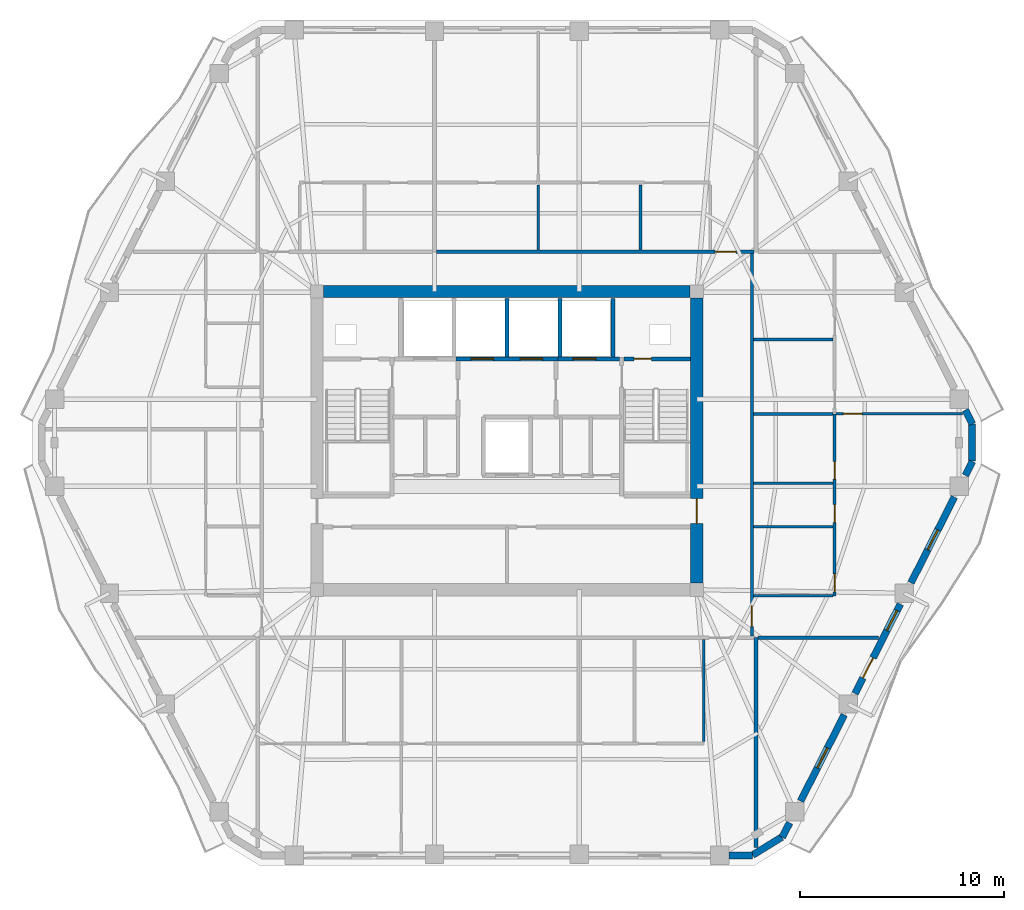
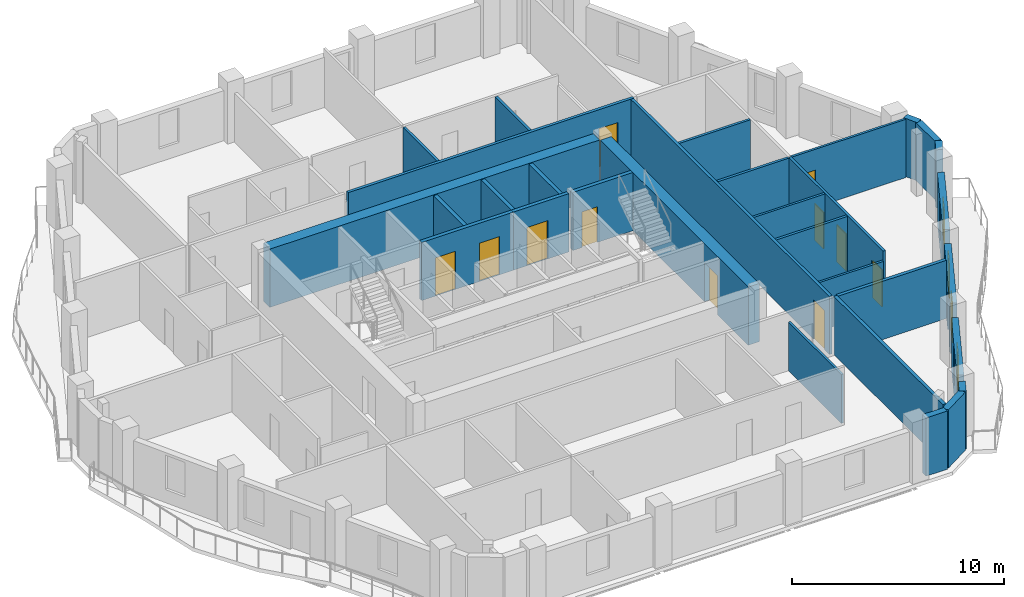
# One storey, part 6 of 12: 31 walls, 12 doors, 3 windows, 15 openings.
"""IFC4 building model written with IfcOpenShell, lengths in metres."""

from ifc_helpers import new_model, si_unit, direction, frame, frame_2d, origin, place, context, subcontext, project, spatial, rectangle, extrude, material, layer, layer_set, type_object, element, fill, save


model = new_model("IFC4")

# Units and contexts
model_context = context("Model", 3, precision=1e-05, world=origin(), true_north=direction((0.0, 1.0)))
body_context = subcontext(model_context, "Body", "Model", "MODEL_VIEW")
ifc_project = project(units=[si_unit("LENGTHUNIT", "METRE"), si_unit("AREAUNIT", "SQUARE_METRE"), si_unit("VOLUMEUNIT", "CUBIC_METRE"), si_unit("PLANEANGLEUNIT", "RADIAN"), si_unit("MASSUNIT", "GRAM", prefix="KILO")], contexts=[model_context])

# Site, building, storey
site_placement = place(None, origin())
site = spatial("IfcSite", under=ifc_project, at=site_placement, CompositionType="ELEMENT")
building_placement = place(site_placement, origin())
building = spatial("IfcBuilding", under=site, at=building_placement, Name="Cinnabar Lancet Tower", CompositionType="ELEMENT")
storey_placement = place(building_placement, frame((0.0, 0.0, 193.199951171875)))
storey = spatial("IfcBuildingStorey", under=building, at=storey_placement, Name="L51", CompositionType="ELEMENT", Elevation=193.199951171875)

# Wall, opening, door
ifc_material_1 = material(Name="Acoustic twin-stud gypsum partition", Category="gypsum")
ifc_layer_1 = layer(ifc_material_1, 0.159912109375)
ifc_layer_set_1 = layer_set([ifc_layer_1], Name="Acoustic twin-stud gypsum partition")
wall_type_1 = type_object("IfcWallType", Name="ARC-WL-CORR-160", PredefinedType="PARTITIONING", material=ifc_layer_set_1)
wall_1_placement = place(storey_placement, frame((28.951904296875, 35.14990234375, 0.0), z_axis=(0.0, 0.0, 1.0), x_axis=(1.0, 0.0, 0.0)))
wall_1 = element("IfcWall", 1, at=wall_1_placement, inside=storey, type_object=wall_type_1, Name="L51 Unit N02 Corridor Wall", PredefinedType="PARTITIONING", context=body_context, shape_type="SweptSolid", body=[
    extrude(rectangle(XDim=15.552978515625, YDim=0.159912109375, at=frame_2d((7.7763671875, 0.0))), origin(), (0.0, 0.0, 1.0), 3.35009765625),
])
opening_1_placement = place(wall_1_placement, frame((13.64794921875, 0.0, 0.0)))
opening_1 = element("IfcOpeningElement", 2, at=opening_1_placement, cuts=wall_1, Name="Opening UD-01", PredefinedType="OPENING", context=body_context, shape_type="SweptSolid", body=[
    extrude(rectangle(XDim=1.02001953125, YDim=2.25, at=frame_2d((0.510009765625, 1.125))), frame((0.0, 0.08984375, 0.0), z_axis=(0.0, -1.0, 0.0), x_axis=(1.0, 0.0, 0.0)), (0.0, 0.0, 1.0), 0.179931640625),
])
ifc_material_2 = material(Name="Solid timber fire-rated apartment entrance door", Category="wood")
door_type_1 = type_object("IfcDoorType", Name="ARC-DR-UNIT", OperationType="NOTDEFINED", PredefinedType="DOOR", material=ifc_material_2)
door_1_placement = place(opening_1_placement, origin())
door_1 = element("IfcDoor", 3, at=door_1_placement, inside=storey, type_object=door_type_1, Name="DR-L51-N02-ENT", OperationType="SINGLE_SWING_RIGHT", OverallHeight=2.25, OverallWidth=1.02001953125, PredefinedType="DOOR", context=body_context, shape_type="SweptSolid", body=[
    extrude(rectangle(XDim=1.02001953125, YDim=2.25, at=frame_2d((0.510009765625, 1.125))), frame((0.0, 0.02490234375, 0.0), z_axis=(0.0, -1.0, 0.0), x_axis=(1.0, 0.0, 0.0)), (0.0, 0.0, 1.0), 0.050048828125),
])
fill(opening_1, door_1)

wall_2_placement = place(storey_placement, frame((44.39990234375, 16.344970703125, 0.0), z_axis=(0.0, 0.0, 1.0), x_axis=(0.0, 1.0, 0.0)))
wall_2 = element("IfcWall", 4, at=wall_2_placement, inside=storey, type_object=wall_type_1, Name="UW-L51-E01-COR", PredefinedType="PARTITIONING", context=body_context, shape_type="SweptSolid", body=[
    extrude(rectangle(XDim=18.7099609375, YDim=0.159912109375, at=frame_2d((9.35498046875, 0.0))), origin(), (0.0, 0.0, 1.0), 3.35009765625),
])
opening_2_placement = place(wall_2_placement, frame((0.449951171875, 0.0, 0.0)))
opening_2 = element("IfcOpeningElement", 5, at=opening_2_placement, cuts=wall_2, Name="Opening UD-01", PredefinedType="OPENING", context=body_context, shape_type="SweptSolid", body=[
    extrude(rectangle(XDim=1.02001953125, YDim=2.25, at=frame_2d((0.510009765625, 1.125))), frame((0.0, 0.08984375, 0.0), z_axis=(0.0, -1.0, 0.0), x_axis=(1.0, 0.0, 0.0)), (0.0, 0.0, 1.0), 0.179931640625),
])
door_2_placement = place(opening_2_placement, origin())
door_2 = element("IfcDoor", 6, at=door_2_placement, inside=storey, type_object=door_type_1, Name="DR-L51-E01-ENT", OperationType="SINGLE_SWING_LEFT", OverallHeight=2.25, OverallWidth=1.02001953125, PredefinedType="DOOR", context=body_context, shape_type="SweptSolid", body=[
    extrude(rectangle(XDim=1.02001953125, YDim=2.25, at=frame_2d((0.510009765625, 1.125))), frame((0.0, 0.02490234375, 0.0), z_axis=(0.0, -1.0, 0.0), x_axis=(1.0, 0.0, 0.0)), (0.0, 0.0, 1.0), 0.050048828125),
])
fill(opening_2, door_2)

# Walls
ifc_material_3 = material(Name="Fire-rated twin-frame acoustic drywall", Category="gypsum")
ifc_layer_2 = layer(ifc_material_3, 0.179931640625)
ifc_layer_set_2 = layer_set([ifc_layer_2], Name="Fire-rated twin-frame acoustic drywall")
wall_type_2 = type_object("IfcWallType", Name="ARC-WL-PARTY-180", PredefinedType="PARTITIONING", material=ifc_layer_set_2)
wall_3_placement = place(storey_placement, frame((44.60009765625, 5.968017578125, 0.0), z_axis=(0.0, 0.0, 1.0), x_axis=(0.0, 1.0, 0.0)))
element("IfcWall", 7, at=wall_3_placement, inside=storey, type_object=wall_type_2, Name="PW-L51-SPTY-446", PredefinedType="PARTITIONING", context=body_context, shape_type="SweptSolid", body=[
    extrude(rectangle(XDim=10.281982421875, YDim=0.179931640625, at=frame_2d((5.14111328125, 0.0))), origin(), (0.0, 0.0, 1.0), 3.35009765625),
])
wall_4_placement = place(storey_placement, frame((44.695068359375, 16.25, 0.0), z_axis=(0.0, 0.0, 1.0), x_axis=(1.0, 0.0, 0.0)))
element("IfcWall", 8, at=wall_4_placement, inside=storey, type_object=wall_type_2, Name="PW-L51-ESB", PredefinedType="PARTITIONING", context=body_context, shape_type="SweptSolid", body=[
    extrude(rectangle(XDim=5.89404296875, YDim=0.179931640625, at=frame_2d((2.947021484375, 0.0))), origin(), (0.0, 0.0, 1.0), 3.35009765625),
])

# Wall, openings, doors
ifc_material_4 = material(Name="Autoclaved aerated concrete blockwork", Category="masonry")
ifc_layer_3 = layer(ifc_material_4, 0.199951171875)
ifc_layer_set_3 = layer_set([ifc_layer_3], Name="Autoclaved aerated concrete blockwork")
wall_type_3 = type_object("IfcWallType", Name="ARC-WL-SHAFT-200", PredefinedType="PLUMBINGWALL", material=ifc_layer_set_3)
wall_5_placement = place(storey_placement, frame((29.89990234375, 29.89990234375, 0.0), z_axis=(0.0, 0.0, 1.0), x_axis=(1.0, 0.0, 0.0)))
wall_5 = element("IfcWall", 9, at=wall_5_placement, inside=storey, type_object=wall_type_3, Name="CW-PL78-L51", PredefinedType="PLUMBINGWALL", context=body_context, shape_type="SweptSolid", body=[
    extrude(rectangle(XDim=5.0, YDim=0.199951171875, at=frame_2d((2.5, 0.0))), origin(), (0.0, 0.0, 1.0), 3.35009765625),
])
opening_3_placement = place(wall_5_placement, frame((0.75, 0.0, 0.0)))
opening_3 = element("IfcOpeningElement", 10, at=opening_3_placement, cuts=wall_5, Name="Opening LD-01", PredefinedType="OPENING", context=body_context, shape_type="SweptSolid", body=[
    extrude(rectangle(XDim=1.10009765625, YDim=2.199951171875, at=frame_2d((0.550048828125, 1.10009765625))), frame((0.0, 0.10986328125, 0.0), z_axis=(0.0, -1.0, 0.0), x_axis=(1.0, 0.0, 0.0)), (0.0, 0.0, 1.0), 0.219970703125),
])
opening_4_placement = place(wall_5_placement, frame((3.14990234375, 0.0, 0.0)))
opening_4 = element("IfcOpeningElement", 11, at=opening_4_placement, cuts=wall_5, Name="Opening LD-01", PredefinedType="OPENING", context=body_context, shape_type="SweptSolid", body=[
    extrude(rectangle(XDim=1.10009765625, YDim=2.199951171875, at=frame_2d((0.550048828125, 1.10009765625))), frame((0.0, 0.10986328125, 0.0), z_axis=(0.0, -1.0, 0.0), x_axis=(1.0, 0.0, 0.0)), (0.0, 0.0, 1.0), 0.219970703125),
])
ifc_material_5 = material(Name="Brushed stainless steel sliding lift door", Category="steel")
door_type_2 = type_object("IfcDoorType", Name="ARC-DR-LD-PASS", OperationType="NOTDEFINED", PredefinedType="DOOR", material=ifc_material_5)
door_3_placement = place(opening_3_placement, origin())
door_3 = element("IfcDoor", 12, at=door_3_placement, inside=storey, type_object=door_type_2, Name="L51 Lift PL-7 Landing Door", OperationType="DOUBLE_DOOR_SLIDING", OverallHeight=2.199951171875, OverallWidth=1.10009765625, PredefinedType="DOOR", context=body_context, shape_type="SweptSolid", body=[
    extrude(rectangle(XDim=1.10009765625, YDim=2.199951171875, at=frame_2d((0.550048828125, 1.10009765625))), frame((0.0, 0.02490234375, 0.0), z_axis=(0.0, -1.0, 0.0), x_axis=(1.0, 0.0, 0.0)), (0.0, 0.0, 1.0), 0.050048828125),
])
fill(opening_3, door_3)
door_4_placement = place(opening_4_placement, origin())
door_4 = element("IfcDoor", 13, at=door_4_placement, inside=storey, type_object=door_type_2, Name="L51 Lift PL-8 Landing Door", OperationType="DOUBLE_DOOR_SLIDING", OverallHeight=2.199951171875, OverallWidth=1.10009765625, PredefinedType="DOOR", context=body_context, shape_type="SweptSolid", body=[
    extrude(rectangle(XDim=1.10009765625, YDim=2.199951171875, at=frame_2d((0.550048828125, 1.10009765625))), frame((0.0, 0.02490234375, 0.0), z_axis=(0.0, -1.0, 0.0), x_axis=(1.0, 0.0, 0.0)), (0.0, 0.0, 1.0), 0.050048828125),
])
fill(opening_4, door_4)

# Wall, opening, door
wall_6_placement = place(storey_placement, frame((34.89990234375, 29.89990234375, 0.0), z_axis=(0.0, 0.0, 1.0), x_axis=(1.0, 0.0, 0.0)))
wall_6 = element("IfcWall", 14, at=wall_6_placement, inside=storey, type_object=wall_type_3, Name="CW-FL2-L51", PredefinedType="PLUMBINGWALL", context=body_context, shape_type="SweptSolid", body=[
    extrude(rectangle(XDim=3.01513671875, YDim=0.199951171875, at=frame_2d((1.507568359375, 0.0))), origin(), (0.0, 0.0, 1.0), 3.35009765625),
])
opening_5_placement = place(wall_6_placement, frame((0.72509765625, 0.0, 0.0)))
opening_5 = element("IfcOpeningElement", 15, at=opening_5_placement, cuts=wall_6, Name="Opening LD-02", PredefinedType="OPENING", context=body_context, shape_type="SweptSolid", body=[
    extrude(rectangle(XDim=1.14990234375, YDim=2.199951171875, at=frame_2d((0.574951171875, 1.10009765625))), frame((0.0, 0.10986328125, 0.0), z_axis=(0.0, -1.0, 0.0), x_axis=(1.0, 0.0, 0.0)), (0.0, 0.0, 1.0), 0.219970703125),
])
ifc_material_6 = material(Name="Fire-rated stainless steel firefighting lift landing door", Category="steel")
door_type_3 = type_object("IfcDoorType", Name="ARC-DR-LD-FIRE", OperationType="NOTDEFINED", PredefinedType="DOOR", material=ifc_material_6)
door_5_placement = place(opening_5_placement, origin())
door_5 = element("IfcDoor", 16, at=door_5_placement, inside=storey, type_object=door_type_3, Name="L51 Firefighting Lift FL-2 Landing Door", OperationType="DOUBLE_DOOR_SLIDING", OverallHeight=2.199951171875, OverallWidth=1.14990234375, PredefinedType="DOOR", context=body_context, shape_type="SweptSolid", body=[
    extrude(rectangle(XDim=1.14990234375, YDim=2.199951171875, at=frame_2d((0.574951171875, 1.10009765625))), frame((0.0, 0.02490234375, 0.0), z_axis=(0.0, -1.0, 0.0), x_axis=(1.0, 0.0, 0.0)), (0.0, 0.0, 1.0), 0.050048828125),
])
fill(opening_5, door_5)

wall_7_placement = place(storey_placement, frame((38.125, 29.89990234375, 0.0), z_axis=(0.0, 0.0, 1.0), x_axis=(1.0, 0.0, 0.0)))
wall_7 = element("IfcWall", 17, at=wall_7_placement, inside=storey, type_object=wall_type_3, Name="CW-NSH-E-L51", PredefinedType="PLUMBINGWALL", context=body_context, shape_type="SweptSolid", body=[
    extrude(rectangle(XDim=3.27001953125, YDim=0.199951171875, at=frame_2d((1.635009765625, 0.0))), origin(), (0.0, 0.0, 1.0), 3.35009765625),
])
opening_6_placement = place(wall_7_placement, frame((0.5, 0.0, 0.0)))
opening_6 = element("IfcOpeningElement", 18, at=opening_6_placement, cuts=wall_7, Name="Opening PD-02", PredefinedType="OPENING", context=body_context, shape_type="SweptSolid", body=[
    extrude(rectangle(XDim=0.85009765625, YDim=2.050048828125, at=frame_2d((0.425048828125, 1.02490234375))), frame((0.0, 0.10986328125, 0.0), z_axis=(0.0, -1.0, 0.0), x_axis=(1.0, 0.0, 0.0)), (0.0, 0.0, 1.0), 0.219970703125),
])
ifc_material_7 = material(Name="Fire-rated steel riser access door", Category="steel")
door_type_4 = type_object("IfcDoorType", Name="ARC-DR-RISER", OperationType="NOTDEFINED", PredefinedType="DOOR", material=ifc_material_7)
door_6_placement = place(opening_6_placement, origin())
door_6 = element("IfcDoor", 19, at=door_6_placement, inside=storey, type_object=door_type_4, Name="L51 East Riser Access Door", OperationType="SINGLE_SWING_RIGHT", OverallHeight=2.050048828125, OverallWidth=0.85009765625, PredefinedType="DOOR", context=body_context, shape_type="SweptSolid", body=[
    extrude(rectangle(XDim=0.85009765625, YDim=2.050048828125, at=frame_2d((0.425048828125, 1.02490234375))), frame((0.0, 0.02490234375, 0.0), z_axis=(0.0, -1.0, 0.0), x_axis=(1.0, 0.0, 0.0)), (0.0, 0.0, 1.0), 0.050048828125),
])
fill(opening_6, door_6)

# Walls
for number, where, z_axis, x_axis, name in (
    (20, (32.39990234375, 30.0, 0.0), (0.0, 0.0, 1.0), (0.0, 1.0, 0.0), "CW-NSH-D3-L51"),
    (21, (35.0, 30.0, 0.0), (0.0, 0.0, 1.0), (0.0, 1.0, 0.0), "CW-NSH-D4-L51"),
    (22, (37.60009765625, 30.0, 0.0), (0.0, 0.0, 1.0), (0.0, 1.0, 0.0), "CW-NSH-D5-L51"),
):
    element("IfcWall", number, at=place(storey_placement, frame(where, z_axis=z_axis, x_axis=x_axis)), inside=storey, type_object=wall_type_3, Name=name, PredefinedType="PLUMBINGWALL", context=body_context, shape_type="SweptSolid", body=[
        extrude(rectangle(XDim=2.85009765625, YDim=0.199951171875, at=frame_2d((1.425048828125, 0.0))), origin(), (0.0, 0.0, 1.0), 3.35009765625),
    ])
ifc_material_8 = material(Name="Gypsum plasterboard stud partition", Category="gypsum")
ifc_layer_4 = layer(ifc_material_8, 0.125)
ifc_layer_set_4 = layer_set([ifc_layer_4], Name="Gypsum plasterboard stud partition")
wall_type_4 = type_object("IfcWallType", Name="ARC-WL-UNIT-125", PredefinedType="PARTITIONING", material=ifc_layer_set_4)
wall_8_placement = place(storey_placement, frame((42.050048828125, 11.16796875, 0.0), z_axis=(0.0, 0.0, 1.0), x_axis=(0.0, 1.0, 0.0)))
element("IfcWall", 23, at=wall_8_placement, inside=storey, type_object=wall_type_4, Name="UW-L51-S01-FOYW", PredefinedType="PARTITIONING", context=body_context, shape_type="SweptSolid", body=[
    extrude(rectangle(XDim=4.9970703125, YDim=0.125, at=frame_2d((2.49853515625, 0.0))), origin(), (0.0, 0.0, 1.0), 2.80712890625),
])
wall_9_placement = place(storey_placement, frame((44.485107421875, 18.300048828125, 0.0), z_axis=(0.0, 0.0, 1.0), x_axis=(1.0, 0.0, 0.0)))
element("IfcWall", 24, at=wall_9_placement, inside=storey, type_object=wall_type_4, Name="UW-L51-E01-FOYN", PredefinedType="PARTITIONING", context=body_context, shape_type="SweptSolid", body=[
    extrude(rectangle(XDim=3.8798828125, YDim=0.125, at=frame_2d((1.93994140625, 0.0))), origin(), (0.0, 0.0, 1.0), 2.80712890625),
])

# Wall, opening, door
wall_10_placement = place(storey_placement, frame((48.52490234375, 27.2119140625, 0.0), z_axis=(0.0, 0.0, 1.0), x_axis=(1.0, 0.0, 0.0)))
wall_10 = element("IfcWall", 25, at=wall_10_placement, inside=storey, type_object=wall_type_4, Name="UW-L51-E01-MBN", PredefinedType="PARTITIONING", context=body_context, shape_type="SweptSolid", body=[
    extrude(rectangle(XDim=6.196044921875, YDim=0.125, at=frame_2d((3.09814453125, 0.0))), origin(), (0.0, 0.0, 1.0), 3.35009765625),
])
opening_7_placement = place(wall_10_placement, frame((0.35009765625, 0.0, 0.0)))
opening_7 = element("IfcOpeningElement", 26, at=opening_7_placement, cuts=wall_10, Name="Opening RD-01", PredefinedType="OPENING", context=body_context, shape_type="SweptSolid", body=[
    extrude(rectangle(XDim=0.919921875, YDim=2.14990234375, at=frame_2d((0.4599609375, 1.074951171875))), frame((0.0, 0.072509765625, 0.0), z_axis=(0.0, -1.0, 0.0), x_axis=(1.0, 0.0, 0.0)), (0.0, 0.0, 1.0), 0.14501953125),
])
ifc_material_9 = material(Name="Engineered timber bedroom door", Category="wood")
door_type_5 = type_object("IfcDoorType", Name="ARC-DR-ROOM", OperationType="NOTDEFINED", PredefinedType="DOOR", material=ifc_material_9)
door_7_placement = place(opening_7_placement, origin())
door_7 = element("IfcDoor", 27, at=door_7_placement, inside=storey, type_object=door_type_5, Name="DR-L51-E01-MBD", OperationType="SINGLE_SWING_LEFT", OverallHeight=2.14990234375, OverallWidth=0.919921875, PredefinedType="DOOR", context=body_context, shape_type="SweptSolid", body=[
    extrude(rectangle(XDim=0.919921875, YDim=2.14990234375, at=frame_2d((0.4599609375, 1.074951171875))), frame((0.0, 0.02490234375, 0.0), z_axis=(0.0, -1.0, 0.0), x_axis=(1.0, 0.0, 0.0)), (0.0, 0.0, 1.0), 0.050048828125),
])
fill(opening_7, door_7)

# Walls
wall_11_placement = place(storey_placement, frame((44.485107421875, 23.81201171875, 0.0), z_axis=(0.0, 0.0, 1.0), x_axis=(1.0, 0.0, 0.0)))
element("IfcWall", 28, at=wall_11_placement, inside=storey, type_object=wall_type_4, Name="UW-L51-E01-UDV", PredefinedType="PARTITIONING", context=body_context, shape_type="SweptSolid", body=[
    extrude(rectangle(XDim=3.8798828125, YDim=0.125, at=frame_2d((1.93994140625, 0.0))), origin(), (0.0, 0.0, 1.0), 3.35009765625),
])
ifc_material_10 = material(Name="Moisture-resistant cement-board plumbing wall", Category="masonry")
ifc_layer_5 = layer(ifc_material_10, 0.139892578125)
ifc_layer_set_5 = layer_set([ifc_layer_5], Name="Moisture-resistant cement-board plumbing wall")
wall_type_5 = type_object("IfcWallType", Name="ARC-WL-WET-140", PredefinedType="PLUMBINGWALL", material=ifc_layer_set_5)
for number, where, z_axis, x_axis, name in (
    (29, (38.949951171875, 35.235107421875, 0.0), (0.0, 0.0, 1.0), (0.0, 1.0, 0.0), "UW-L51-N02-KBD"),
    (30, (33.93310546875, 35.235107421875, 0.0), (0.0, 0.0, 1.0), (0.0, 1.0, 0.0), "UW-L51-N02-ENSW"),
):
    element("IfcWall", number, at=place(storey_placement, frame(where, z_axis=z_axis, x_axis=x_axis)), inside=storey, type_object=wall_type_5, Name=name, PredefinedType="PLUMBINGWALL", context=body_context, shape_type="SweptSolid", body=[
        extrude(rectangle(XDim=3.19384765625, YDim=0.139892578125, at=frame_2d((1.596923828125, 0.0))), origin(), (0.0, 0.0, 1.0), 3.35009765625),
    ])

# Wall, openings, doors
wall_12_placement = place(storey_placement, frame((48.449951171875, 18.300048828125, 0.0), z_axis=(0.0, 0.0, 1.0), x_axis=(0.0, 1.0, 0.0)))
wall_12 = element("IfcWall", 31, at=wall_12_placement, inside=storey, type_object=wall_type_5, Name="UW-L51-E01-SPL", PredefinedType="PLUMBINGWALL", context=body_context, shape_type="SweptSolid", body=[
    extrude(rectangle(XDim=8.911865234375, YDim=0.139892578125, at=frame_2d((4.4560546875, 0.0))), origin(), (0.0, 0.0, 1.0), 3.35009765625),
])
opening_8_placement = place(wall_12_placement, frame((0.199951171875, 0.0, 0.0)))
opening_8 = element("IfcOpeningElement", 32, at=opening_8_placement, cuts=wall_12, Name="Opening RD-02", PredefinedType="OPENING", context=body_context, shape_type="SweptSolid", body=[
    extrude(rectangle(XDim=0.8798828125, YDim=2.14990234375, at=frame_2d((0.43994140625, 1.074951171875))), frame((0.0, 0.079833984375, 0.0), z_axis=(0.0, -1.0, 0.0), x_axis=(1.0, 0.0, 0.0)), (0.0, 0.0, 1.0), 0.159912109375),
])
opening_9_placement = place(wall_12_placement, frame((3.5869140625, 0.0, 0.0)))
opening_9 = element("IfcOpeningElement", 33, at=opening_9_placement, cuts=wall_12, Name="Opening RD-02", PredefinedType="OPENING", context=body_context, shape_type="SweptSolid", body=[
    extrude(rectangle(XDim=0.8798828125, YDim=2.14990234375, at=frame_2d((0.43994140625, 1.074951171875))), frame((0.0, 0.079833984375, 0.0), z_axis=(0.0, -1.0, 0.0), x_axis=(1.0, 0.0, 0.0)), (0.0, 0.0, 1.0), 0.159912109375),
])
opening_10_placement = place(wall_12_placement, frame((5.7119140625, 0.0, 0.0)))
opening_10 = element("IfcOpeningElement", 34, at=opening_10_placement, cuts=wall_12, Name="Opening BD-01", PredefinedType="OPENING", context=body_context, shape_type="SweptSolid", body=[
    extrude(rectangle(XDim=0.860107421875, YDim=2.10009765625, at=frame_2d((0.43017578125, 1.050048828125))), frame((0.0, 0.079833984375, 0.0), z_axis=(0.0, -1.0, 0.0), x_axis=(1.0, 0.0, 0.0)), (0.0, 0.0, 1.0), 0.159912109375),
])
ifc_material_11 = material(Name="Moisture-resistant timber bathroom door", Category="wood")
door_type_6 = type_object("IfcDoorType", Name="ARC-DR-BATH", OperationType="NOTDEFINED", PredefinedType="DOOR", material=ifc_material_11)
door_8_placement = place(opening_10_placement, origin())
door_8 = element("IfcDoor", 35, at=door_8_placement, inside=storey, type_object=door_type_6, Name="DR-L51-E01-BTH", OperationType="SINGLE_SWING_RIGHT", OverallHeight=2.10009765625, OverallWidth=0.860107421875, PredefinedType="DOOR", context=body_context, shape_type="SweptSolid", body=[
    extrude(rectangle(XDim=0.860107421875, YDim=2.10009765625, at=frame_2d((0.43017578125, 1.050048828125))), frame((0.0, 0.02490234375, 0.0), z_axis=(0.0, -1.0, 0.0), x_axis=(1.0, 0.0, 0.0)), (0.0, 0.0, 1.0), 0.050048828125),
])
fill(opening_10, door_8)
ifc_material_12 = material(Name="Engineered timber study door", Category="wood")
door_type_7 = type_object("IfcDoorType", Name="ARC-DR-STUDY", OperationType="NOTDEFINED", PredefinedType="DOOR", material=ifc_material_12)
door_9_placement = place(opening_8_placement, origin())
door_9 = element("IfcDoor", 36, at=door_9_placement, inside=storey, type_object=door_type_7, Name="DR-L51-E01-KIT", OperationType="SINGLE_SWING_RIGHT", OverallHeight=2.14990234375, OverallWidth=0.8798828125, PredefinedType="DOOR", context=body_context, shape_type="SweptSolid", body=[
    extrude(rectangle(XDim=0.8798828125, YDim=2.14990234375, at=frame_2d((0.43994140625, 1.074951171875))), frame((0.0, 0.02490234375, 0.0), z_axis=(0.0, -1.0, 0.0), x_axis=(1.0, 0.0, 0.0)), (0.0, 0.0, 1.0), 0.050048828125),
])
fill(opening_8, door_9)
door_10_placement = place(opening_9_placement, origin())
door_10 = element("IfcDoor", 37, at=door_10_placement, inside=storey, type_object=door_type_7, Name="DR-L51-E01-UTL", OperationType="SINGLE_SWING_LEFT", OverallHeight=2.14990234375, OverallWidth=0.8798828125, PredefinedType="DOOR", context=body_context, shape_type="SweptSolid", body=[
    extrude(rectangle(XDim=0.8798828125, YDim=2.14990234375, at=frame_2d((0.43994140625, 1.074951171875))), frame((0.0, 0.02490234375, 0.0), z_axis=(0.0, -1.0, 0.0), x_axis=(1.0, 0.0, 0.0)), (0.0, 0.0, 1.0), 0.050048828125),
])
fill(opening_9, door_10)

# Walls
for number, where, z_axis, x_axis, name in (
    (38, (44.485107421875, 27.2119140625, 0.0), (0.0, 0.0, 1.0), (1.0, 0.0, 0.0), "UW-L51-E01-ENSN"),
    (39, (44.485107421875, 21.68701171875, 0.0), (0.0, 0.0, 1.0), (1.0, 0.0, 0.0), "UW-L51-E01-KDV"),
    (40, (44.485107421875, 30.847900390625, 0.0), (0.0, 0.0, 1.0), (1.0, 0.0, 0.0), "UW-L51-E01-EWDV"),
):
    element("IfcWall", number, at=place(storey_placement, frame(where, z_axis=z_axis, x_axis=x_axis)), inside=storey, type_object=wall_type_5, Name=name, PredefinedType="PLUMBINGWALL", context=body_context, shape_type="SweptSolid", body=[
        extrude(rectangle(XDim=3.8798828125, YDim=0.139892578125, at=frame_2d((1.93994140625, 0.0))), origin(), (0.0, 0.0, 1.0), 3.35009765625),
    ])
ifc_material_13 = material(Name="Cinnabar red clay brick", Category="masonry")
ifc_layer_6 = layer(ifc_material_13, 0.340087890625)
ifc_layer_set_6 = layer_set([ifc_layer_6], Name="Cinnabar red clay brick")
wall_type_6 = type_object("IfcWallType", Name="ENV-WL-BRK-RED-340", PredefinedType="STANDARD", material=ifc_layer_set_6)
wall_13_placement = place(storey_placement, frame((44.43310546875, 5.60498046875, 0.0), z_axis=(0.0, 0.0, 1.0), x_axis=(0.851778214877, 0.523902541185, 0.0)))
element("IfcWall", 41, at=wall_13_placement, inside=storey, type_object=wall_type_6, Name="L51 Chamfered Corner Brick Pier 2.1", PredefinedType="STANDARD", context=body_context, shape_type="SweptSolid", body=[
    extrude(rectangle(XDim=1.677734375, YDim=0.340087890625, at=frame_2d((0.8388671875, 0.0))), origin(), (0.0, 0.0, 1.0), 3.35009765625),
])
wall_14_placement = place(storey_placement, frame((55.177978515625, 24.89208984375, 0.0), z_axis=(0.0, 0.0, 1.0), x_axis=(0.0, 1.0, 0.0)))
element("IfcWall", 42, at=wall_14_placement, inside=storey, type_object=wall_type_6, Name="L51 Chamfered Corner Brick Pier 3.1", PredefinedType="STANDARD", context=body_context, shape_type="SweptSolid", body=[
    extrude(rectangle(XDim=1.81591796875, YDim=0.340087890625, at=frame_2d((0.907958984375, 0.0))), origin(), (0.0, 0.0, 1.0), 3.35009765625),
])
wall_15_placement = place(storey_placement, frame((43.27490234375, 5.580078125, 0.0), z_axis=(0.0, 0.0, 1.0), x_axis=(1.0, 0.0, 0.0)))
element("IfcWall", 43, at=wall_15_placement, inside=storey, type_object=wall_type_6, Name="L51 Face 1 Masonry Bay Wall 5", PredefinedType="STANDARD", context=body_context, shape_type="SweptSolid", body=[
    extrude(rectangle(XDim=1.1630859375, YDim=0.340087890625, at=frame_2d((0.58154296875, 0.0))), origin(), (0.0, 0.0, 1.0), 3.35009765625),
])
wall_16_placement = place(storey_placement, frame((45.882080078125, 6.468017578125, 0.0), z_axis=(0.0, 0.0, 1.0), x_axis=(0.451691568309, 0.892174157392, 0.0)))
element("IfcWall", 44, at=wall_16_placement, inside=storey, type_object=wall_type_6, Name="L51 Face 2 Masonry Bay Wall 1", PredefinedType="STANDARD", context=body_context, shape_type="SweptSolid", body=[
    extrude(rectangle(XDim=0.805908203125, YDim=0.340087890625, at=frame_2d((0.40283203125, 0.0))), origin(), (0.0, 0.0, 1.0), 3.35009765625),
])

# Wall, opening, window
wall_17_placement = place(storey_placement, frame((46.782958984375, 8.2490234375, 0.0), z_axis=(0.0, 0.0, 1.0), x_axis=(0.451522864045, 0.892259549259, 0.0)))
wall_17 = element("IfcWall", 45, at=wall_17_placement, inside=storey, type_object=wall_type_6, Name="L51 Face 2 Masonry Bay Wall 2", PredefinedType="STANDARD", context=body_context, shape_type="SweptSolid", body=[
    extrude(rectangle(XDim=4.730712890625, YDim=0.340087890625, at=frame_2d((2.365234375, 0.0))), origin(), (0.0, 0.0, 1.0), 2.883056640625),
])
opening_11_placement = place(wall_17_placement, frame((1.81494140625, 0.0, 0.75)))
opening_11 = element("IfcOpeningElement", 46, at=opening_11_placement, cuts=wall_17, Name="Opening WN-04", PredefinedType="OPENING", context=body_context, shape_type="SweptSolid", body=[
    extrude(rectangle(XDim=1.10009765625, YDim=1.98291015625, at=frame_2d((0.550048828125, 0.991455078125))), frame((0.0, 0.179931640625, 0.0), z_axis=(0.0, -1.0, 0.0), x_axis=(1.0, 0.0, 0.0)), (0.0, 0.0, 1.0), 0.360107421875),
])
ifc_material_14 = material(Name="Thermally broken bronze-anodized aluminium tall lancet window", Category="aluminium")
window_type = type_object("IfcWindowType", Name="ENV-WN-LANCET-1100", PartitioningType="SINGLE_PANEL", PredefinedType="WINDOW", material=ifc_material_14)
window_1_placement = place(opening_11_placement, origin())
window_1 = element("IfcWindow", 47, at=window_1_placement, inside=storey, type_object=window_type, Name="L51 Face 2 Gothic Lancet Window 2", OverallHeight=1.98291015625, OverallWidth=1.10009765625, PartitioningType="SINGLE_PANEL", PredefinedType="WINDOW", context=body_context, shape_type="SweptSolid", body=[
    extrude(rectangle(XDim=1.10009765625, YDim=1.98291015625, at=frame_2d((0.550048828125, 0.991455078125))), frame((0.0, 0.030029296875, 0.0), z_axis=(0.0, -1.0, 0.0), x_axis=(1.0, 0.0, 0.0)), (0.0, 0.0, 1.0), 0.06005859375),
])
fill(opening_11, window_1)

# Wall, openings, door, window
wall_18_placement = place(storey_placement, frame((49.447998046875, 13.51708984375, 0.0), z_axis=(0.0, 0.0, 1.0), x_axis=(0.451544279509, 0.892248711763, 0.0)))
wall_18 = element("IfcWall", 48, at=wall_18_placement, inside=storey, type_object=wall_type_6, Name="L51 Face 2 Masonry Bay Wall 3", PredefinedType="STANDARD", context=body_context, shape_type="SweptSolid", body=[
    extrude(rectangle(XDim=4.909912109375, YDim=0.340087890625, at=frame_2d((2.455078125, 0.0))), origin(), (0.0, 0.0, 1.0), 2.883056640625),
])
opening_12_placement = place(wall_18_placement, frame((0.85595703125, 0.0, 0.0)))
opening_12 = element("IfcOpeningElement", 49, at=opening_12_placement, cuts=wall_18, Name="Opening TD-01", PredefinedType="OPENING", context=body_context, shape_type="SweptSolid", body=[
    extrude(rectangle(XDim=1.10009765625, YDim=2.25, at=frame_2d((0.550048828125, 1.125))), frame((0.0, 0.179931640625, 0.0), z_axis=(0.0, -1.0, 0.0), x_axis=(1.0, 0.0, 0.0)), (0.0, 0.0, 1.0), 0.360107421875),
])
opening_13_placement = place(wall_18_placement, frame((3.45703125, 0.0, 0.75)))
opening_13 = element("IfcOpeningElement", 50, at=opening_13_placement, cuts=wall_18, Name="Opening WN-04", PredefinedType="OPENING", context=body_context, shape_type="SweptSolid", body=[
    extrude(rectangle(XDim=1.10009765625, YDim=1.98291015625, at=frame_2d((0.550048828125, 0.991455078125))), frame((0.0, 0.179931640625, 0.0), z_axis=(0.0, -1.0, 0.0), x_axis=(1.0, 0.0, 0.0)), (0.0, 0.0, 1.0), 0.360107421875),
])
ifc_material_15 = material(Name="Thermally broken low-E glazed balcony terrace door", Category="wood")
door_type_8 = type_object("IfcDoorType", Name="ARC-DR-BALC", OperationType="NOTDEFINED", PredefinedType="DOOR", material=ifc_material_15)
door_11_placement = place(opening_12_placement, origin())
door_11 = element("IfcDoor", 51, at=door_11_placement, inside=storey, type_object=door_type_8, Name="L51 Face 2 Glazed Terrace Door", OperationType="SINGLE_SWING_LEFT", OverallHeight=2.25, OverallWidth=1.10009765625, PredefinedType="DOOR", context=body_context, shape_type="SweptSolid", body=[
    extrude(rectangle(XDim=1.10009765625, YDim=2.25, at=frame_2d((0.550048828125, 1.125))), frame((0.0, 0.02490234375, 0.0), z_axis=(0.0, -1.0, 0.0), x_axis=(1.0, 0.0, 0.0)), (0.0, 0.0, 1.0), 0.050048828125),
])
fill(opening_12, door_11)
window_2_placement = place(opening_13_placement, origin())
window_2 = element("IfcWindow", 52, at=window_2_placement, inside=storey, type_object=window_type, Name="L51 Split-Bay Gothic Lancet Window 167", OverallHeight=1.98291015625, OverallWidth=1.10009765625, PartitioningType="SINGLE_PANEL", PredefinedType="WINDOW", context=body_context, shape_type="SweptSolid", body=[
    extrude(rectangle(XDim=1.10009765625, YDim=1.98291015625, at=frame_2d((0.550048828125, 0.991455078125))), frame((0.0, 0.030029296875, 0.0), z_axis=(0.0, -1.0, 0.0), x_axis=(1.0, 0.0, 0.0)), (0.0, 0.0, 1.0), 0.06005859375),
])
fill(opening_13, window_2)

# Wall, opening, window
wall_19_placement = place(storey_placement, frame((52.193115234375, 18.943115234375, 0.0), z_axis=(0.0, 0.0, 1.0), x_axis=(0.451447222193, 0.892297823361, 0.0)))
wall_19 = element("IfcWall", 53, at=wall_19_placement, inside=storey, type_object=wall_type_6, Name="L51 Face 2 Masonry Bay Wall 4", PredefinedType="STANDARD", context=body_context, shape_type="SweptSolid", body=[
    extrude(rectangle(XDim=4.699951171875, YDim=0.340087890625, at=frame_2d((2.35009765625, 0.0))), origin(), (0.0, 0.0, 1.0), 2.883056640625),
])
opening_14_placement = place(wall_19_placement, frame((1.800048828125, 0.0, 0.75)))
opening_14 = element("IfcOpeningElement", 54, at=opening_14_placement, cuts=wall_19, Name="Opening WN-04", PredefinedType="OPENING", context=body_context, shape_type="SweptSolid", body=[
    extrude(rectangle(XDim=1.10009765625, YDim=1.98291015625, at=frame_2d((0.550048828125, 0.991455078125))), frame((0.0, 0.179931640625, 0.0), z_axis=(0.0, -1.0, 0.0), x_axis=(1.0, 0.0, 0.0)), (0.0, 0.0, 1.0), 0.360107421875),
])
window_3_placement = place(opening_14_placement, origin())
window_3 = element("IfcWindow", 55, at=window_3_placement, inside=storey, type_object=window_type, Name="L51 Face 2 Gothic Lancet Window 4", OverallHeight=1.98291015625, OverallWidth=1.10009765625, PartitioningType="SINGLE_PANEL", PredefinedType="WINDOW", context=body_context, shape_type="SweptSolid", body=[
    extrude(rectangle(XDim=1.10009765625, YDim=1.98291015625, at=frame_2d((0.550048828125, 0.991455078125))), frame((0.0, 0.030029296875, 0.0), z_axis=(0.0, -1.0, 0.0), x_axis=(1.0, 0.0, 0.0)), (0.0, 0.0, 1.0), 0.06005859375),
])
fill(opening_14, window_3)

# Walls
for number, where, z_axis, x_axis, name in (
    (56, (54.85107421875, 24.197021484375, 0.0), (0.0, 0.0, 1.0), (0.451262448184, 0.892391283496, 0.0), "L51 Face 2 Masonry Bay Wall 5"),
    (57, (55.198974609375, 26.715087890625, 0.0), (0.0, 0.0, 1.0), (-0.451262448184, 0.892391283496, 0.0), "L51 Face 3 Masonry Bay Wall 1"),
):
    element("IfcWall", number, at=place(storey_placement, frame(where, z_axis=z_axis, x_axis=x_axis)), inside=storey, type_object=wall_type_6, Name=name, PredefinedType="STANDARD", context=body_context, shape_type="SweptSolid", body=[
        extrude(rectangle(XDim=0.77099609375, YDim=0.340087890625, at=frame_2d((0.385498046875, 0.0))), origin(), (0.0, 0.0, 1.0), 3.35009765625),
    ])
ifc_material_16 = material(Name="Concrete C60/75", Category="concrete")
ifc_layer_7 = layer(ifc_material_16, 0.60009765625)
ifc_layer_set_7 = layer_set([ifc_layer_7], Name="Concrete C60/75")
wall_type_7 = type_object("IfcWallType", Name="STR-WL-CORE-600", PredefinedType="SHEAR", material=ifc_layer_set_7)
wall_20_placement = place(storey_placement, frame((23.425048828125, 33.199951171875, 0.0), z_axis=(0.0, 0.0, 1.0), x_axis=(1.0, 0.0, 0.0)))
element("IfcWall", 58, at=wall_20_placement, inside=storey, type_object=wall_type_7, Name="L51 Core Shear Wall N", PredefinedType="SHEAR", context=body_context, shape_type="SweptSolid", body=[
    extrude(rectangle(XDim=17.949951171875, YDim=0.60009765625, at=frame_2d((8.97509765625, 0.0))), origin(), (0.0, 0.0, 1.0), 3.35009765625),
])

# Wall, opening, door
wall_21_placement = place(storey_placement, frame((41.699951171875, 18.925048828125, 0.0), z_axis=(0.0, 0.0, 1.0), x_axis=(0.0, 1.0, 0.0)))
wall_21 = element("IfcWall", 59, at=wall_21_placement, inside=storey, type_object=wall_type_7, Name="L51 Core Shear Wall E", PredefinedType="SHEAR", context=body_context, shape_type="SweptSolid", body=[
    extrude(rectangle(XDim=13.949951171875, YDim=0.60009765625, at=frame_2d((6.97509765625, 0.0))), origin(), (0.0, 0.0, 1.0), 3.35009765625),
])
opening_15_placement = place(wall_21_placement, frame((2.9150390625, 0.0, 0.0)))
opening_15 = element("IfcOpeningElement", 60, at=opening_15_placement, cuts=wall_21, Name="Opening FD-02", PredefinedType="OPENING", context=body_context, shape_type="SweptSolid", body=[
    extrude(rectangle(XDim=1.219970703125, YDim=2.25, at=frame_2d((0.60986328125, 1.125))), frame((0.0, 0.31005859375, 0.0), z_axis=(0.0, -1.0, 0.0), x_axis=(1.0, 0.0, 0.0)), (0.0, 0.0, 1.0), 0.6201171875),
])
ifc_material_17 = material(Name="Fire-rated double-vision core portal door", Category="wood")
door_type_9 = type_object("IfcDoorType", Name="ARC-DR-CPORT", OperationType="NOTDEFINED", PredefinedType="DOOR", material=ifc_material_17)
door_12_placement = place(opening_15_placement, origin())
door_12 = element("IfcDoor", 61, at=door_12_placement, inside=storey, type_object=door_type_9, Name="L51 East Core Lobby Fire Door", OperationType="SINGLE_SWING_LEFT", OverallHeight=2.25, OverallWidth=1.219970703125, PredefinedType="DOOR", context=body_context, shape_type="SweptSolid", body=[
    extrude(rectangle(XDim=1.219970703125, YDim=2.25, at=frame_2d((0.60986328125, 1.125))), frame((0.0, 0.02490234375, 0.0), z_axis=(0.0, -1.0, 0.0), x_axis=(1.0, 0.0, 0.0)), (0.0, 0.0, 1.0), 0.050048828125),
])
fill(opening_15, door_12)

save(model, "model.ifc")
